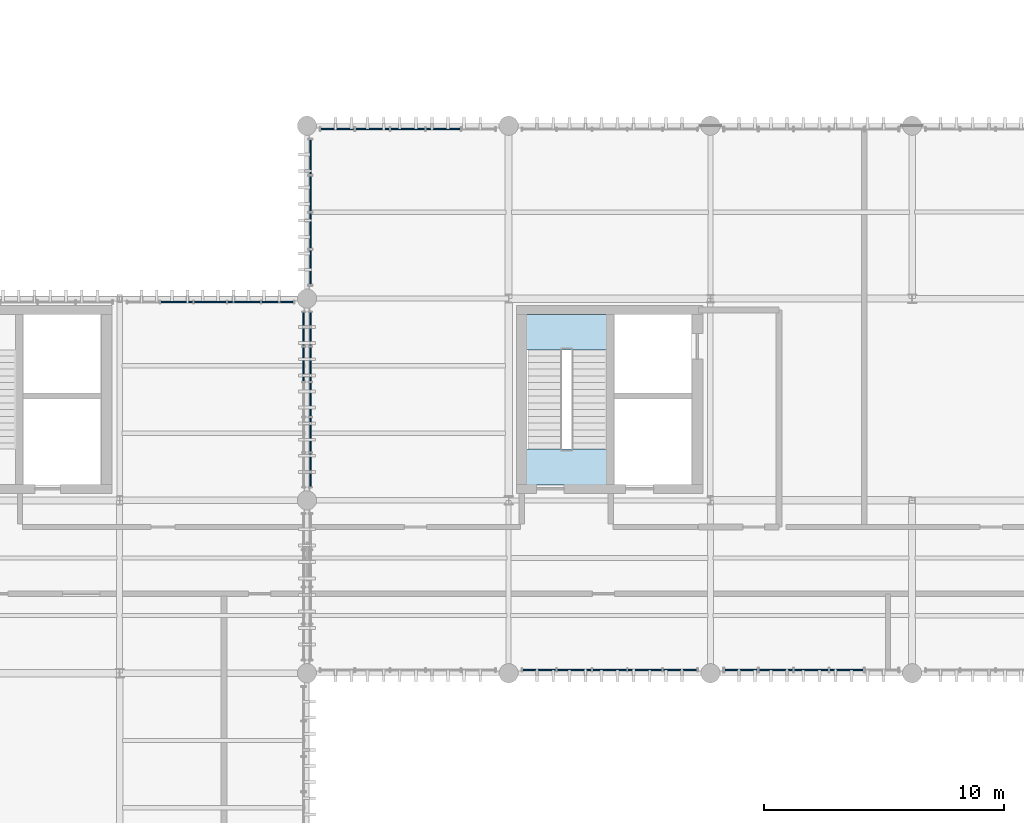
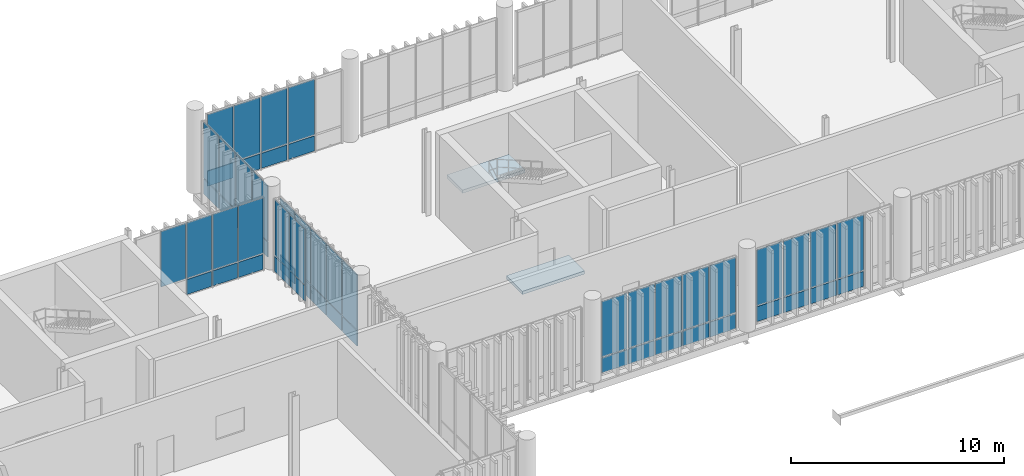
# One storey, part 69 of 94: 55 plates, 2 slabs, 8 elements without a shape of their own.
"""IFC4 building model written with IfcOpenShell, lengths in metres."""

from ifc_helpers import new_model, si_unit, direction, frame, frame_2d, origin_with_axes, place, context, subcontext, project, spatial, polyline, rectangle, outline, extrude, material, layer, layer_set, type_object, element, aggregate, save


model = new_model("IFC4")

# Units and contexts
model_context = context("Model", 3, precision=1e-05, world=origin_with_axes(), true_north=direction((0.0, 1.0)))
body_context = subcontext(model_context, "Body", "Model", "MODEL_VIEW")
ifc_project = project(units=[si_unit("LENGTHUNIT", "METRE"), si_unit("AREAUNIT", "SQUARE_METRE"), si_unit("VOLUMEUNIT", "CUBIC_METRE"), si_unit("PLANEANGLEUNIT", "RADIAN"), si_unit("MASSUNIT", "GRAM", prefix="KILO"), si_unit("THERMODYNAMICTEMPERATUREUNIT", "KELVIN")], contexts=[model_context])

# Site, building, storey
site_placement = place(None, origin_with_axes())
site = spatial("IfcSite", under=ifc_project, at=site_placement, CompositionType="ELEMENT")
building_placement = place(site_placement, origin_with_axes())
building = spatial("IfcBuilding", under=site, at=building_placement, Name="Montbau Bow Law Courts", CompositionType="ELEMENT")
storey_placement = place(building_placement, frame((0.0, 0.0, 15.6), z_axis=(0.0, 0.0, 1.0), x_axis=(1.0, 0.0, 0.0)))
storey = spatial("IfcBuildingStorey", under=building, at=storey_placement, Name="L03", CompositionType="ELEMENT", Elevation=15.6)

# Curtain wall, plates
ifc_material_1 = material(Name="Thermally Broken Extruded Aluminium AA 6063-T6", Category="aluminium")
curtain_wall_type_1 = type_object("IfcCurtainWallType", Name="CW-TRC-01", PredefinedType="NOTDEFINED", material=ifc_material_1)
curtain_wall_1_placement = place(None, frame((39.268, 54.46, 15.6), z_axis=(0.0, 0.0, 1.0), x_axis=(1.0, 0.0, 0.0)))
curtain_wall_1 = element("IfcCurtainWall", 1, at=curtain_wall_1_placement, inside=storey, type_object=curtain_wall_type_1, Name="CW-L03-059:cw_0059", PredefinedType="NOTDEFINED")
ifc_material_2 = material(Name="Triple-Glazed Low-E Argon Insulating Glass Unit", Category="glass")
ifc_layer_1 = layer(ifc_material_2, 0.044, Name="Curtain Panel", Category="glass")
ifc_layer_set_1 = layer_set([ifc_layer_1], Name="Triple-Glazed Low-E Argon Insulating Glass Unit")
plate_type_1 = type_object("IfcPlateType", Name="PL-CWP-01", PredefinedType="CURTAIN_PANEL", material=ifc_layer_set_1)
plate_1_placement = place(None, frame((40.703, 54.46, 16.579), z_axis=(0.0, -1.0, 0.0), x_axis=(1.0, 0.0, 0.0)))
plate_1 = element("IfcPlate", 2, at=plate_1_placement, type_object=plate_type_1, Name="CW-L03-059-P02-2:cw_0059_P02_2", PredefinedType="CURTAIN_PANEL", context=body_context, shape_type="SweptSolid", body=[
    extrude(rectangle(XDim=1.34, YDim=3.185, at=frame_2d((0.67, 1.5925), x_axis=(1.0, 0.0))), frame((0.0, 0.0, -0.022), z_axis=(0.0, 0.0, 1.0), x_axis=(1.0, 0.0, 0.0)), (0.0, 0.0, 1.0), 0.044),
])
plate_2_placement = place(None, frame((42.107, 54.46, 16.579), z_axis=(0.0, -1.0, 0.0), x_axis=(1.0, 0.0, 0.0)))
plate_2 = element("IfcPlate", 3, at=plate_2_placement, type_object=plate_type_1, Name="CW-L03-059-P03-2:cw_0059_P03_2", PredefinedType="CURTAIN_PANEL", context=body_context, shape_type="SweptSolid", body=[
    extrude(rectangle(XDim=1.339, YDim=3.185, at=frame_2d((0.6695, 1.5925), x_axis=(1.0, 0.0))), frame((0.0, 0.0, -0.022), z_axis=(0.0, 0.0, 1.0), x_axis=(1.0, 0.0, 0.0)), (0.0, 0.0, 1.0), 0.044),
])
plate_3_placement = place(None, frame((43.51, 54.46, 16.579), z_axis=(0.0, -1.0, 0.0), x_axis=(1.0, 0.0, 0.0)))
plate_3 = element("IfcPlate", 4, at=plate_3_placement, type_object=plate_type_1, Name="CW-L03-059-P04-2:cw_0059_P04_2", PredefinedType="CURTAIN_PANEL", context=body_context, shape_type="SweptSolid", body=[
    extrude(rectangle(XDim=1.34, YDim=3.185, at=frame_2d((0.67, 1.5925), x_axis=(1.0, 0.0))), frame((0.0, 0.0, -0.022), z_axis=(0.0, 0.0, 1.0), x_axis=(1.0, 0.0, 0.0)), (0.0, 0.0, 1.0), 0.044),
])
plate_4_placement = place(None, frame((44.914, 54.46, 16.579), z_axis=(0.0, -1.0, 0.0), x_axis=(1.0, 0.0, 0.0)))
plate_4 = element("IfcPlate", 5, at=plate_4_placement, type_object=plate_type_1, Name="CW-L03-059-P05-2:cw_0059_P05_2", PredefinedType="CURTAIN_PANEL", context=body_context, shape_type="SweptSolid", body=[
    extrude(rectangle(XDim=1.309, YDim=3.185, at=frame_2d((0.6545, 1.5925), x_axis=(1.0, 0.0))), frame((0.0, 0.0, -0.022), z_axis=(0.0, 0.0, 1.0), x_axis=(1.0, 0.0, 0.0)), (0.0, 0.0, 1.0), 0.044),
])

curtain_wall_2_placement = place(None, frame((46.66, 46.715, 15.6), z_axis=(0.0, 0.0, 1.0), x_axis=(1.0, 0.0, 0.0)))
curtain_wall_2 = element("IfcCurtainWall", 6, at=curtain_wall_2_placement, inside=storey, type_object=curtain_wall_type_1, Name="CW-L03-065:cw_0065", PredefinedType="NOTDEFINED")
plate_5_placement = place(None, frame((46.66, 51.169, 16.579), z_axis=(1.0, 0.0, 0.0), x_axis=(0.0, 1.0, 0.0)))
plate_5 = element("IfcPlate", 7, at=plate_5_placement, type_object=plate_type_1, Name="CW-L03-065-P04-2:cw_0065_P04_2", PredefinedType="CURTAIN_PANEL", context=body_context, shape_type="SweptSolid", body=[
    extrude(rectangle(XDim=1.41, YDim=3.185, at=frame_2d((0.705, 1.5925), x_axis=(1.0, 0.0))), frame((0.0, 0.0, -0.022), z_axis=(0.0, 0.0, 1.0), x_axis=(1.0, 0.0, 0.0)), (0.0, 0.0, 1.0), 0.044),
])
plate_6_placement = place(None, frame((46.66, 52.643, 16.579), z_axis=(1.0, 0.0, 0.0), x_axis=(0.0, 1.0, 0.0)))
plate_6 = element("IfcPlate", 8, at=plate_6_placement, type_object=plate_type_1, Name="CW-L03-065-P05-2:cw_0065_P05_2", PredefinedType="CURTAIN_PANEL", context=body_context, shape_type="SweptSolid", body=[
    extrude(rectangle(XDim=1.38, YDim=3.185, at=frame_2d((0.69, 1.5925), x_axis=(1.0, 0.0))), frame((0.0, 0.0, -0.022), z_axis=(0.0, 0.0, 1.0), x_axis=(1.0, 0.0, 0.0)), (0.0, 0.0, 1.0), 0.044),
])

curtain_wall_type_2 = type_object("IfcCurtainWallType", Name="CW-CRM-01", PredefinedType="NOTDEFINED", material=ifc_material_1)
curtain_wall_3_placement = place(None, frame((55.715, 39.14, 15.6), z_axis=(0.0, 0.0, 1.0), x_axis=(1.0, 0.0, 0.0)))
curtain_wall_3 = element("IfcCurtainWall", 9, at=curtain_wall_3_placement, inside=storey, type_object=curtain_wall_type_2, Name="CW-L03-176:cw_0176", PredefinedType="NOTDEFINED")
plate_7_placement = place(None, frame((55.777, 39.14, 16.582), z_axis=(0.0, -1.0, 0.0), x_axis=(1.0, 0.0, 0.0)))
plate_7 = element("IfcPlate", 10, at=plate_7_placement, type_object=plate_type_1, Name="CW-L03-176-P01-2:cw_0176_P01_2", PredefinedType="CURTAIN_PANEL", context=body_context, shape_type="SweptSolid", body=[
    extrude(rectangle(XDim=1.38, YDim=3.176, at=frame_2d((0.69, 1.588), x_axis=(1.0, 0.0))), frame((0.0, 0.0, -0.022), z_axis=(0.0, 0.0, 1.0), x_axis=(1.0, 0.0, 0.0)), (0.0, 0.0, 1.0), 0.044),
])
plate_8_placement = place(None, frame((57.221, 39.14, 16.582), z_axis=(0.0, -1.0, 0.0), x_axis=(1.0, 0.0, 0.0)))
plate_8 = element("IfcPlate", 11, at=plate_8_placement, type_object=plate_type_1, Name="CW-L03-176-P02-2:cw_0176_P02_2", PredefinedType="CURTAIN_PANEL", context=body_context, shape_type="SweptSolid", body=[
    extrude(rectangle(XDim=1.41, YDim=3.176, at=frame_2d((0.705, 1.588), x_axis=(1.0, 0.0))), frame((0.0, 0.0, -0.022), z_axis=(0.0, 0.0, 1.0), x_axis=(1.0, 0.0, 0.0)), (0.0, 0.0, 1.0), 0.044),
])
plate_9_placement = place(None, frame((58.695, 39.14, 16.582), z_axis=(0.0, -1.0, 0.0), x_axis=(1.0, 0.0, 0.0)))
plate_9 = element("IfcPlate", 12, at=plate_9_placement, type_object=plate_type_1, Name="CW-L03-176-P03-2:cw_0176_P03_2", PredefinedType="CURTAIN_PANEL", context=body_context, shape_type="SweptSolid", body=[
    extrude(rectangle(XDim=1.41, YDim=3.176, at=frame_2d((0.705, 1.588), x_axis=(1.0, 0.0))), frame((0.0, 0.0, -0.022), z_axis=(0.0, 0.0, 1.0), x_axis=(1.0, 0.0, 0.0)), (0.0, 0.0, 1.0), 0.044),
])
plate_10_placement = place(None, frame((60.169, 39.14, 16.582), z_axis=(0.0, -1.0, 0.0), x_axis=(1.0, 0.0, 0.0)))
plate_10 = element("IfcPlate", 13, at=plate_10_placement, type_object=plate_type_1, Name="CW-L03-176-P04-2:cw_0176_P04_2", PredefinedType="CURTAIN_PANEL", context=body_context, shape_type="SweptSolid", body=[
    extrude(rectangle(XDim=1.41, YDim=3.176, at=frame_2d((0.705, 1.588), x_axis=(1.0, 0.0))), frame((0.0, 0.0, -0.022), z_axis=(0.0, 0.0, 1.0), x_axis=(1.0, 0.0, 0.0)), (0.0, 0.0, 1.0), 0.044),
])
plate_11_placement = place(None, frame((61.643, 39.14, 16.582), z_axis=(0.0, -1.0, 0.0), x_axis=(1.0, 0.0, 0.0)))
plate_11 = element("IfcPlate", 14, at=plate_11_placement, type_object=plate_type_1, Name="CW-L03-176-P05-2:cw_0176_P05_2", PredefinedType="CURTAIN_PANEL", context=body_context, shape_type="SweptSolid", body=[
    extrude(rectangle(XDim=1.38, YDim=3.176, at=frame_2d((0.69, 1.588), x_axis=(1.0, 0.0))), frame((0.0, 0.0, -0.022), z_axis=(0.0, 0.0, 1.0), x_axis=(1.0, 0.0, 0.0)), (0.0, 0.0, 1.0), 0.044),
])

curtain_wall_4_placement = place(None, frame((64.115, 39.14, 15.6), z_axis=(0.0, 0.0, 1.0), x_axis=(1.0, 0.0, 0.0)))
curtain_wall_4 = element("IfcCurtainWall", 15, at=curtain_wall_4_placement, inside=storey, type_object=curtain_wall_type_2, Name="CW-L03-177:cw_0177", PredefinedType="NOTDEFINED")
plate_12_placement = place(None, frame((64.191, 39.14, 16.579), z_axis=(0.0, -1.0, 0.0), x_axis=(1.0, 0.0, 0.0)))
plate_12 = element("IfcPlate", 16, at=plate_12_placement, type_object=plate_type_1, Name="CW-L03-177-P01-2:cw_0177_P01_2", PredefinedType="CURTAIN_PANEL", context=body_context, shape_type="SweptSolid", body=[
    extrude(rectangle(XDim=1.358, YDim=3.185, at=frame_2d((0.679, 1.5925), x_axis=(1.0, 0.0))), frame((0.0, 0.0, -0.022), z_axis=(0.0, 0.0, 1.0), x_axis=(1.0, 0.0, 0.0)), (0.0, 0.0, 1.0), 0.044),
])
plate_13_placement = place(None, frame((65.629, 39.14, 16.579), z_axis=(0.0, -1.0, 0.0), x_axis=(1.0, 0.0, 0.0)))
plate_13 = element("IfcPlate", 17, at=plate_13_placement, type_object=plate_type_1, Name="CW-L03-177-P02-2:cw_0177_P02_2", PredefinedType="CURTAIN_PANEL", context=body_context, shape_type="SweptSolid", body=[
    extrude(rectangle(XDim=1.395, YDim=3.185, at=frame_2d((0.6975, 1.5925), x_axis=(1.0, 0.0))), frame((0.0, 0.0, -0.022), z_axis=(0.0, 0.0, 1.0), x_axis=(1.0, 0.0, 0.0)), (0.0, 0.0, 1.0), 0.044),
])
plate_14_placement = place(None, frame((67.102, 39.14, 16.579), z_axis=(0.0, -1.0, 0.0), x_axis=(1.0, 0.0, 0.0)))
plate_14 = element("IfcPlate", 18, at=plate_14_placement, type_object=plate_type_1, Name="CW-L03-177-P03-2:cw_0177_P03_2", PredefinedType="CURTAIN_PANEL", context=body_context, shape_type="SweptSolid", body=[
    extrude(rectangle(XDim=1.396, YDim=3.185, at=frame_2d((0.698, 1.5925), x_axis=(1.0, 0.0))), frame((0.0, 0.0, -0.022), z_axis=(0.0, 0.0, 1.0), x_axis=(1.0, 0.0, 0.0)), (0.0, 0.0, 1.0), 0.044),
])
plate_15_placement = place(None, frame((68.576, 39.14, 16.579), z_axis=(0.0, -1.0, 0.0), x_axis=(1.0, 0.0, 0.0)))
plate_15 = element("IfcPlate", 19, at=plate_15_placement, type_object=plate_type_1, Name="CW-L03-177-P04-2:cw_0177_P04_2", PredefinedType="CURTAIN_PANEL", context=body_context, shape_type="SweptSolid", body=[
    extrude(rectangle(XDim=1.396, YDim=3.185, at=frame_2d((0.698, 1.5925), x_axis=(1.0, 0.0))), frame((0.0, 0.0, -0.022), z_axis=(0.0, 0.0, 1.0), x_axis=(1.0, 0.0, 0.0)), (0.0, 0.0, 1.0), 0.044),
])

curtain_wall_5_placement = place(None, frame((47.315, 61.66, 15.6), z_axis=(0.0, 0.0, 1.0), x_axis=(1.0, 0.0, 0.0)))
curtain_wall_5 = element("IfcCurtainWall", 20, at=curtain_wall_5_placement, inside=storey, type_object=curtain_wall_type_2, Name="CW-L03-181:cw_0181", PredefinedType="NOTDEFINED")
plate_16_placement = place(None, frame((47.383, 61.66, 16.579), z_axis=(0.0, -1.0, 0.0), x_axis=(1.0, 0.0, 0.0)))
plate_16 = element("IfcPlate", 21, at=plate_16_placement, type_object=plate_type_1, Name="CW-L03-181-P01-2:cw_0181_P01_2", PredefinedType="CURTAIN_PANEL", context=body_context, shape_type="SweptSolid", body=[
    extrude(rectangle(XDim=1.372, YDim=3.185, at=frame_2d((0.686, 1.5925), x_axis=(1.0, 0.0))), frame((0.0, 0.0, -0.022), z_axis=(0.0, 0.0, 1.0), x_axis=(1.0, 0.0, 0.0)), (0.0, 0.0, 1.0), 0.044),
])
plate_17_placement = place(None, frame((48.823, 61.66, 16.579), z_axis=(0.0, -1.0, 0.0), x_axis=(1.0, 0.0, 0.0)))
plate_17 = element("IfcPlate", 22, at=plate_17_placement, type_object=plate_type_1, Name="CW-L03-181-P02-2:cw_0181_P02_2", PredefinedType="CURTAIN_PANEL", context=body_context, shape_type="SweptSolid", body=[
    extrude(rectangle(XDim=1.405, YDim=3.185, at=frame_2d((0.7025, 1.5925), x_axis=(1.0, 0.0))), frame((0.0, 0.0, -0.022), z_axis=(0.0, 0.0, 1.0), x_axis=(1.0, 0.0, 0.0)), (0.0, 0.0, 1.0), 0.044),
])
plate_18_placement = place(None, frame((50.297, 61.66, 16.579), z_axis=(0.0, -1.0, 0.0), x_axis=(1.0, 0.0, 0.0)))
plate_18 = element("IfcPlate", 23, at=plate_18_placement, type_object=plate_type_1, Name="CW-L03-181-P03-2:cw_0181_P03_2", PredefinedType="CURTAIN_PANEL", context=body_context, shape_type="SweptSolid", body=[
    extrude(rectangle(XDim=1.406, YDim=3.185, at=frame_2d((0.703, 1.5925), x_axis=(1.0, 0.0))), frame((0.0, 0.0, -0.022), z_axis=(0.0, 0.0, 1.0), x_axis=(1.0, 0.0, 0.0)), (0.0, 0.0, 1.0), 0.044),
])
plate_19_placement = place(None, frame((51.771, 61.66, 16.579), z_axis=(0.0, -1.0, 0.0), x_axis=(1.0, 0.0, 0.0)))
plate_19 = element("IfcPlate", 24, at=plate_19_placement, type_object=plate_type_1, Name="CW-L03-181-P04-2:cw_0181_P04_2", PredefinedType="CURTAIN_PANEL", context=body_context, shape_type="SweptSolid", body=[
    extrude(rectangle(XDim=1.406, YDim=3.185, at=frame_2d((0.703, 1.5925), x_axis=(1.0, 0.0))), frame((0.0, 0.0, -0.022), z_axis=(0.0, 0.0, 1.0), x_axis=(1.0, 0.0, 0.0)), (0.0, 0.0, 1.0), 0.044),
])

curtain_wall_6_placement = place(None, frame((46.94, 46.715, 15.6), z_axis=(0.0, 0.0, 1.0), x_axis=(1.0, 0.0, 0.0)))
curtain_wall_6 = element("IfcCurtainWall", 25, at=curtain_wall_6_placement, inside=storey, type_object=curtain_wall_type_2, Name="CW-L03-188:cw_0188", PredefinedType="NOTDEFINED")
plate_20_placement = place(None, frame((46.94, 46.777, 16.582), z_axis=(1.0, 0.0, 0.0), x_axis=(0.0, 1.0, 0.0)))
plate_20 = element("IfcPlate", 26, at=plate_20_placement, type_object=plate_type_1, Name="CW-L03-188-P01-2:cw_0188_P01_2", PredefinedType="CURTAIN_PANEL", context=body_context, shape_type="SweptSolid", body=[
    extrude(rectangle(XDim=1.38, YDim=3.176, at=frame_2d((0.69, 1.588), x_axis=(1.0, 0.0))), frame((0.0, 0.0, -0.022), z_axis=(0.0, 0.0, 1.0), x_axis=(1.0, 0.0, 0.0)), (0.0, 0.0, 1.0), 0.044),
])
plate_21_placement = place(None, frame((46.94, 48.221, 16.582), z_axis=(1.0, 0.0, 0.0), x_axis=(0.0, 1.0, 0.0)))
plate_21 = element("IfcPlate", 27, at=plate_21_placement, type_object=plate_type_1, Name="CW-L03-188-P02-2:cw_0188_P02_2", PredefinedType="CURTAIN_PANEL", context=body_context, shape_type="SweptSolid", body=[
    extrude(rectangle(XDim=1.41, YDim=3.176, at=frame_2d((0.705, 1.588), x_axis=(1.0, 0.0))), frame((0.0, 0.0, -0.022), z_axis=(0.0, 0.0, 1.0), x_axis=(1.0, 0.0, 0.0)), (0.0, 0.0, 1.0), 0.044),
])
plate_22_placement = place(None, frame((46.94, 49.695, 16.582), z_axis=(1.0, 0.0, 0.0), x_axis=(0.0, 1.0, 0.0)))
plate_22 = element("IfcPlate", 28, at=plate_22_placement, type_object=plate_type_1, Name="CW-L03-188-P03-2:cw_0188_P03_2", PredefinedType="CURTAIN_PANEL", context=body_context, shape_type="SweptSolid", body=[
    extrude(rectangle(XDim=1.41, YDim=3.176, at=frame_2d((0.705, 1.588), x_axis=(1.0, 0.0))), frame((0.0, 0.0, -0.022), z_axis=(0.0, 0.0, 1.0), x_axis=(1.0, 0.0, 0.0)), (0.0, 0.0, 1.0), 0.044),
])
plate_23_placement = place(None, frame((46.94, 51.169, 16.582), z_axis=(1.0, 0.0, 0.0), x_axis=(0.0, 1.0, 0.0)))
plate_23 = element("IfcPlate", 29, at=plate_23_placement, type_object=plate_type_1, Name="CW-L03-188-P04-2:cw_0188_P04_2", PredefinedType="CURTAIN_PANEL", context=body_context, shape_type="SweptSolid", body=[
    extrude(rectangle(XDim=1.41, YDim=3.176, at=frame_2d((0.705, 1.588), x_axis=(1.0, 0.0))), frame((0.0, 0.0, -0.022), z_axis=(0.0, 0.0, 1.0), x_axis=(1.0, 0.0, 0.0)), (0.0, 0.0, 1.0), 0.044),
])
plate_24_placement = place(None, frame((46.94, 52.643, 16.582), z_axis=(1.0, 0.0, 0.0), x_axis=(0.0, 1.0, 0.0)))
plate_24 = element("IfcPlate", 30, at=plate_24_placement, type_object=plate_type_1, Name="CW-L03-188-P05-2:cw_0188_P05_2", PredefinedType="CURTAIN_PANEL", context=body_context, shape_type="SweptSolid", body=[
    extrude(rectangle(XDim=1.38, YDim=3.176, at=frame_2d((0.69, 1.588), x_axis=(1.0, 0.0))), frame((0.0, 0.0, -0.022), z_axis=(0.0, 0.0, 1.0), x_axis=(1.0, 0.0, 0.0)), (0.0, 0.0, 1.0), 0.044),
])

curtain_wall_7_placement = place(None, frame((46.94, 55.115, 15.6), z_axis=(0.0, 0.0, 1.0), x_axis=(1.0, 0.0, 0.0)))
curtain_wall_7 = element("IfcCurtainWall", 31, at=curtain_wall_7_placement, inside=storey, type_object=curtain_wall_type_2, Name="CW-L03-189:cw_0189", PredefinedType="NOTDEFINED")
plate_25_placement = place(None, frame((46.94, 55.191, 16.579), z_axis=(1.0, 0.0, 0.0), x_axis=(0.0, 1.0, 0.0)))
plate_25 = element("IfcPlate", 32, at=plate_25_placement, type_object=plate_type_1, Name="CW-L03-189-P01-2:cw_0189_P01_2", PredefinedType="CURTAIN_PANEL", context=body_context, shape_type="SweptSolid", body=[
    extrude(rectangle(XDim=1.426, YDim=3.185, at=frame_2d((0.713, 1.5925), x_axis=(1.0, 0.0))), frame((0.0, 0.0, -0.022), z_axis=(0.0, 0.0, 1.0), x_axis=(1.0, 0.0, 0.0)), (0.0, 0.0, 1.0), 0.044),
])
plate_26_placement = place(None, frame((46.94, 56.697, 16.579), z_axis=(1.0, 0.0, 0.0), x_axis=(0.0, 1.0, 0.0)))
plate_26 = element("IfcPlate", 33, at=plate_26_placement, type_object=plate_type_1, Name="CW-L03-189-P02-2:cw_0189_P02_2", PredefinedType="CURTAIN_PANEL", context=body_context, shape_type="SweptSolid", body=[
    extrude(rectangle(XDim=1.464, YDim=3.185, at=frame_2d((0.732, 1.5925), x_axis=(1.0, 0.0))), frame((0.0, 0.0, -0.022), z_axis=(0.0, 0.0, 1.0), x_axis=(1.0, 0.0, 0.0)), (0.0, 0.0, 1.0), 0.044),
])
plate_27_placement = place(None, frame((46.94, 58.239, 16.579), z_axis=(1.0, 0.0, 0.0), x_axis=(0.0, 1.0, 0.0)))
plate_27 = element("IfcPlate", 34, at=plate_27_placement, type_object=plate_type_1, Name="CW-L03-189-P03-2:cw_0189_P03_2", PredefinedType="CURTAIN_PANEL", context=body_context, shape_type="SweptSolid", body=[
    extrude(rectangle(XDim=1.464, YDim=3.185, at=frame_2d((0.732, 1.5925), x_axis=(1.0, 0.0))), frame((0.0, 0.0, -0.022), z_axis=(0.0, 0.0, 1.0), x_axis=(1.0, 0.0, 0.0)), (0.0, 0.0, 1.0), 0.044),
])
plate_28_placement = place(None, frame((46.94, 59.781, 16.579), z_axis=(1.0, 0.0, 0.0), x_axis=(0.0, 1.0, 0.0)))
plate_28 = element("IfcPlate", 35, at=plate_28_placement, type_object=plate_type_1, Name="CW-L03-189-P04-2:cw_0189_P04_2", PredefinedType="CURTAIN_PANEL", context=body_context, shape_type="SweptSolid", body=[
    extrude(rectangle(XDim=1.427, YDim=3.185, at=frame_2d((0.7135, 1.5925), x_axis=(1.0, 0.0))), frame((0.0, 0.0, -0.022), z_axis=(0.0, 0.0, 1.0), x_axis=(1.0, 0.0, 0.0)), (0.0, 0.0, 1.0), 0.044),
])

# Plate
ifc_material_3 = material(Name="Insulated Ceramic-Frit Spandrel Glazing Unit", Category="glass")
ifc_layer_2 = layer(ifc_material_3, 0.056, Name="Curtain Panel", Category="glass")
ifc_layer_set_2 = layer_set([ifc_layer_2], Name="Insulated Ceramic-Frit Spandrel Glazing Unit")
plate_type_2 = type_object("IfcPlateType", Name="PL-CWP-02", PredefinedType="CURTAIN_PANEL", material=ifc_layer_set_2)
plate_29_placement = place(None, frame((42.107, 54.46, 15.657), z_axis=(0.0, -1.0, 0.0), x_axis=(1.0, 0.0, 0.0)))
plate_29 = element("IfcPlate", 36, at=plate_29_placement, type_object=plate_type_2, Name="CW-L03-059-P03-1:cw_0059_P03_1", PredefinedType="CURTAIN_PANEL", context=body_context, shape_type="SweptSolid", body=[
    extrude(rectangle(XDim=1.339, YDim=0.864, at=frame_2d((0.6695, 0.432), x_axis=(1.0, 0.0))), frame((0.0, 0.0, -0.028), z_axis=(0.0, 0.0, 1.0), x_axis=(1.0, 0.0, 0.0)), (0.0, 0.0, 1.0), 0.056),
])

plate_30_placement = place(None, frame((43.51, 54.46, 15.657), z_axis=(0.0, -1.0, 0.0), x_axis=(1.0, 0.0, 0.0)))
plate_30 = element("IfcPlate", 37, at=plate_30_placement, type_object=plate_type_2, Name="CW-L03-059-P04-1:cw_0059_P04_1", PredefinedType="CURTAIN_PANEL", context=body_context, shape_type="SweptSolid", body=[
    extrude(rectangle(XDim=1.34, YDim=0.864, at=frame_2d((0.67, 0.432), x_axis=(1.0, 0.0))), frame((0.0, 0.0, -0.028), z_axis=(0.0, 0.0, 1.0), x_axis=(1.0, 0.0, 0.0)), (0.0, 0.0, 1.0), 0.056),
])

plate_31_placement = place(None, frame((44.914, 54.46, 15.657), z_axis=(0.0, -1.0, 0.0), x_axis=(1.0, 0.0, 0.0)))
plate_31 = element("IfcPlate", 38, at=plate_31_placement, type_object=plate_type_2, Name="CW-L03-059-P05-1:cw_0059_P05_1", PredefinedType="CURTAIN_PANEL", context=body_context, shape_type="SweptSolid", body=[
    extrude(rectangle(XDim=1.309, YDim=0.864, at=frame_2d((0.6545, 0.432), x_axis=(1.0, 0.0))), frame((0.0, 0.0, -0.028), z_axis=(0.0, 0.0, 1.0), x_axis=(1.0, 0.0, 0.0)), (0.0, 0.0, 1.0), 0.056),
])

aggregate(curtain_wall_1, [plate_1, plate_29, plate_2, plate_30, plate_3, plate_31, plate_4])

plate_32_placement = place(None, frame((46.66, 51.169, 15.657), z_axis=(1.0, 0.0, 0.0), x_axis=(0.0, 1.0, 0.0)))
plate_32 = element("IfcPlate", 39, at=plate_32_placement, type_object=plate_type_2, Name="CW-L03-065-P04-1:cw_0065_P04_1", PredefinedType="CURTAIN_PANEL", context=body_context, shape_type="SweptSolid", body=[
    extrude(rectangle(XDim=1.41, YDim=0.864, at=frame_2d((0.705, 0.432), x_axis=(1.0, 0.0))), frame((0.0, 0.0, -0.028), z_axis=(0.0, 0.0, 1.0), x_axis=(1.0, 0.0, 0.0)), (0.0, 0.0, 1.0), 0.056),
])

plate_33_placement = place(None, frame((46.66, 52.643, 15.657), z_axis=(1.0, 0.0, 0.0), x_axis=(0.0, 1.0, 0.0)))
plate_33 = element("IfcPlate", 40, at=plate_33_placement, type_object=plate_type_2, Name="CW-L03-065-P05-1:cw_0065_P05_1", PredefinedType="CURTAIN_PANEL", context=body_context, shape_type="SweptSolid", body=[
    extrude(rectangle(XDim=1.38, YDim=0.864, at=frame_2d((0.69, 0.432), x_axis=(1.0, 0.0))), frame((0.0, 0.0, -0.028), z_axis=(0.0, 0.0, 1.0), x_axis=(1.0, 0.0, 0.0)), (0.0, 0.0, 1.0), 0.056),
])

aggregate(curtain_wall_2, [plate_32, plate_5, plate_33, plate_6])

plate_34_placement = place(None, frame((55.777, 39.14, 15.662), z_axis=(0.0, -1.0, 0.0), x_axis=(1.0, 0.0, 0.0)))
plate_34 = element("IfcPlate", 41, at=plate_34_placement, type_object=plate_type_2, Name="CW-L03-176-P01-1:cw_0176_P01_1", PredefinedType="CURTAIN_PANEL", context=body_context, shape_type="SweptSolid", body=[
    extrude(rectangle(XDim=1.38, YDim=0.856, at=frame_2d((0.69, 0.428), x_axis=(1.0, 0.0))), frame((0.0, 0.0, -0.028), z_axis=(0.0, 0.0, 1.0), x_axis=(1.0, 0.0, 0.0)), (0.0, 0.0, 1.0), 0.056),
])

plate_35_placement = place(None, frame((57.221, 39.14, 15.662), z_axis=(0.0, -1.0, 0.0), x_axis=(1.0, 0.0, 0.0)))
plate_35 = element("IfcPlate", 42, at=plate_35_placement, type_object=plate_type_2, Name="CW-L03-176-P02-1:cw_0176_P02_1", PredefinedType="CURTAIN_PANEL", context=body_context, shape_type="SweptSolid", body=[
    extrude(rectangle(XDim=1.41, YDim=0.856, at=frame_2d((0.705, 0.428), x_axis=(1.0, 0.0))), frame((0.0, 0.0, -0.028), z_axis=(0.0, 0.0, 1.0), x_axis=(1.0, 0.0, 0.0)), (0.0, 0.0, 1.0), 0.056),
])

plate_36_placement = place(None, frame((58.695, 39.14, 15.662), z_axis=(0.0, -1.0, 0.0), x_axis=(1.0, 0.0, 0.0)))
plate_36 = element("IfcPlate", 43, at=plate_36_placement, type_object=plate_type_2, Name="CW-L03-176-P03-1:cw_0176_P03_1", PredefinedType="CURTAIN_PANEL", context=body_context, shape_type="SweptSolid", body=[
    extrude(rectangle(XDim=1.41, YDim=0.856, at=frame_2d((0.705, 0.428), x_axis=(1.0, 0.0))), frame((0.0, 0.0, -0.028), z_axis=(0.0, 0.0, 1.0), x_axis=(1.0, 0.0, 0.0)), (0.0, 0.0, 1.0), 0.056),
])

plate_37_placement = place(None, frame((60.169, 39.14, 15.662), z_axis=(0.0, -1.0, 0.0), x_axis=(1.0, 0.0, 0.0)))
plate_37 = element("IfcPlate", 44, at=plate_37_placement, type_object=plate_type_2, Name="CW-L03-176-P04-1:cw_0176_P04_1", PredefinedType="CURTAIN_PANEL", context=body_context, shape_type="SweptSolid", body=[
    extrude(rectangle(XDim=1.41, YDim=0.856, at=frame_2d((0.705, 0.428), x_axis=(1.0, 0.0))), frame((0.0, 0.0, -0.028), z_axis=(0.0, 0.0, 1.0), x_axis=(1.0, 0.0, 0.0)), (0.0, 0.0, 1.0), 0.056),
])

plate_38_placement = place(None, frame((61.643, 39.14, 15.662), z_axis=(0.0, -1.0, 0.0), x_axis=(1.0, 0.0, 0.0)))
plate_38 = element("IfcPlate", 45, at=plate_38_placement, type_object=plate_type_2, Name="CW-L03-176-P05-1:cw_0176_P05_1", PredefinedType="CURTAIN_PANEL", context=body_context, shape_type="SweptSolid", body=[
    extrude(rectangle(XDim=1.38, YDim=0.856, at=frame_2d((0.69, 0.428), x_axis=(1.0, 0.0))), frame((0.0, 0.0, -0.028), z_axis=(0.0, 0.0, 1.0), x_axis=(1.0, 0.0, 0.0)), (0.0, 0.0, 1.0), 0.056),
])

aggregate(curtain_wall_3, [plate_34, plate_7, plate_35, plate_8, plate_36, plate_9, plate_37, plate_10, plate_38, plate_11])

plate_39_placement = place(None, frame((64.191, 39.14, 15.657), z_axis=(0.0, -1.0, 0.0), x_axis=(1.0, 0.0, 0.0)))
plate_39 = element("IfcPlate", 46, at=plate_39_placement, type_object=plate_type_2, Name="CW-L03-177-P01-1:cw_0177_P01_1", PredefinedType="CURTAIN_PANEL", context=body_context, shape_type="SweptSolid", body=[
    extrude(rectangle(XDim=1.358, YDim=0.864, at=frame_2d((0.679, 0.432), x_axis=(1.0, 0.0))), frame((0.0, 0.0, -0.028), z_axis=(0.0, 0.0, 1.0), x_axis=(1.0, 0.0, 0.0)), (0.0, 0.0, 1.0), 0.056),
])

plate_40_placement = place(None, frame((65.629, 39.14, 15.657), z_axis=(0.0, -1.0, 0.0), x_axis=(1.0, 0.0, 0.0)))
plate_40 = element("IfcPlate", 47, at=plate_40_placement, type_object=plate_type_2, Name="CW-L03-177-P02-1:cw_0177_P02_1", PredefinedType="CURTAIN_PANEL", context=body_context, shape_type="SweptSolid", body=[
    extrude(rectangle(XDim=1.395, YDim=0.864, at=frame_2d((0.6975, 0.432), x_axis=(1.0, 0.0))), frame((0.0, 0.0, -0.028), z_axis=(0.0, 0.0, 1.0), x_axis=(1.0, 0.0, 0.0)), (0.0, 0.0, 1.0), 0.056),
])

plate_41_placement = place(None, frame((67.102, 39.14, 15.657), z_axis=(0.0, -1.0, 0.0), x_axis=(1.0, 0.0, 0.0)))
plate_41 = element("IfcPlate", 48, at=plate_41_placement, type_object=plate_type_2, Name="CW-L03-177-P03-1:cw_0177_P03_1", PredefinedType="CURTAIN_PANEL", context=body_context, shape_type="SweptSolid", body=[
    extrude(rectangle(XDim=1.396, YDim=0.864, at=frame_2d((0.698, 0.432), x_axis=(1.0, 0.0))), frame((0.0, 0.0, -0.028), z_axis=(0.0, 0.0, 1.0), x_axis=(1.0, 0.0, 0.0)), (0.0, 0.0, 1.0), 0.056),
])

plate_42_placement = place(None, frame((68.576, 39.14, 15.657), z_axis=(0.0, -1.0, 0.0), x_axis=(1.0, 0.0, 0.0)))
plate_42 = element("IfcPlate", 49, at=plate_42_placement, type_object=plate_type_2, Name="CW-L03-177-P04-1:cw_0177_P04_1", PredefinedType="CURTAIN_PANEL", context=body_context, shape_type="SweptSolid", body=[
    extrude(rectangle(XDim=1.396, YDim=0.864, at=frame_2d((0.698, 0.432), x_axis=(1.0, 0.0))), frame((0.0, 0.0, -0.028), z_axis=(0.0, 0.0, 1.0), x_axis=(1.0, 0.0, 0.0)), (0.0, 0.0, 1.0), 0.056),
])

aggregate(curtain_wall_4, [plate_39, plate_12, plate_40, plate_13, plate_41, plate_14, plate_42, plate_15])

plate_43_placement = place(None, frame((47.383, 61.66, 15.657), z_axis=(0.0, -1.0, 0.0), x_axis=(1.0, 0.0, 0.0)))
plate_43 = element("IfcPlate", 50, at=plate_43_placement, type_object=plate_type_2, Name="CW-L03-181-P01-1:cw_0181_P01_1", PredefinedType="CURTAIN_PANEL", context=body_context, shape_type="SweptSolid", body=[
    extrude(rectangle(XDim=1.372, YDim=0.864, at=frame_2d((0.686, 0.432), x_axis=(1.0, 0.0))), frame((0.0, 0.0, -0.028), z_axis=(0.0, 0.0, 1.0), x_axis=(1.0, 0.0, 0.0)), (0.0, 0.0, 1.0), 0.056),
])

plate_44_placement = place(None, frame((48.823, 61.66, 15.657), z_axis=(0.0, -1.0, 0.0), x_axis=(1.0, 0.0, 0.0)))
plate_44 = element("IfcPlate", 51, at=plate_44_placement, type_object=plate_type_2, Name="CW-L03-181-P02-1:cw_0181_P02_1", PredefinedType="CURTAIN_PANEL", context=body_context, shape_type="SweptSolid", body=[
    extrude(rectangle(XDim=1.405, YDim=0.864, at=frame_2d((0.7025, 0.432), x_axis=(1.0, 0.0))), frame((0.0, 0.0, -0.028), z_axis=(0.0, 0.0, 1.0), x_axis=(1.0, 0.0, 0.0)), (0.0, 0.0, 1.0), 0.056),
])

plate_45_placement = place(None, frame((50.297, 61.66, 15.657), z_axis=(0.0, -1.0, 0.0), x_axis=(1.0, 0.0, 0.0)))
plate_45 = element("IfcPlate", 52, at=plate_45_placement, type_object=plate_type_2, Name="CW-L03-181-P03-1:cw_0181_P03_1", PredefinedType="CURTAIN_PANEL", context=body_context, shape_type="SweptSolid", body=[
    extrude(rectangle(XDim=1.406, YDim=0.864, at=frame_2d((0.703, 0.432), x_axis=(1.0, 0.0))), frame((0.0, 0.0, -0.028), z_axis=(0.0, 0.0, 1.0), x_axis=(1.0, 0.0, 0.0)), (0.0, 0.0, 1.0), 0.056),
])

plate_46_placement = place(None, frame((51.771, 61.66, 15.657), z_axis=(0.0, -1.0, 0.0), x_axis=(1.0, 0.0, 0.0)))
plate_46 = element("IfcPlate", 53, at=plate_46_placement, type_object=plate_type_2, Name="CW-L03-181-P04-1:cw_0181_P04_1", PredefinedType="CURTAIN_PANEL", context=body_context, shape_type="SweptSolid", body=[
    extrude(rectangle(XDim=1.406, YDim=0.864, at=frame_2d((0.703, 0.432), x_axis=(1.0, 0.0))), frame((0.0, 0.0, -0.028), z_axis=(0.0, 0.0, 1.0), x_axis=(1.0, 0.0, 0.0)), (0.0, 0.0, 1.0), 0.056),
])

aggregate(curtain_wall_5, [plate_43, plate_16, plate_44, plate_17, plate_45, plate_18, plate_46, plate_19])

plate_47_placement = place(None, frame((46.94, 46.777, 15.662), z_axis=(1.0, 0.0, 0.0), x_axis=(0.0, 1.0, 0.0)))
plate_47 = element("IfcPlate", 54, at=plate_47_placement, type_object=plate_type_2, Name="CW-L03-188-P01-1:cw_0188_P01_1", PredefinedType="CURTAIN_PANEL", context=body_context, shape_type="SweptSolid", body=[
    extrude(rectangle(XDim=1.38, YDim=0.856, at=frame_2d((0.69, 0.428), x_axis=(1.0, 0.0))), frame((0.0, 0.0, -0.028), z_axis=(0.0, 0.0, 1.0), x_axis=(1.0, 0.0, 0.0)), (0.0, 0.0, 1.0), 0.056),
])

plate_48_placement = place(None, frame((46.94, 48.221, 15.662), z_axis=(1.0, 0.0, 0.0), x_axis=(0.0, 1.0, 0.0)))
plate_48 = element("IfcPlate", 55, at=plate_48_placement, type_object=plate_type_2, Name="CW-L03-188-P02-1:cw_0188_P02_1", PredefinedType="CURTAIN_PANEL", context=body_context, shape_type="SweptSolid", body=[
    extrude(rectangle(XDim=1.41, YDim=0.856, at=frame_2d((0.705, 0.428), x_axis=(1.0, 0.0))), frame((0.0, 0.0, -0.028), z_axis=(0.0, 0.0, 1.0), x_axis=(1.0, 0.0, 0.0)), (0.0, 0.0, 1.0), 0.056),
])

plate_49_placement = place(None, frame((46.94, 49.695, 15.662), z_axis=(1.0, 0.0, 0.0), x_axis=(0.0, 1.0, 0.0)))
plate_49 = element("IfcPlate", 56, at=plate_49_placement, type_object=plate_type_2, Name="CW-L03-188-P03-1:cw_0188_P03_1", PredefinedType="CURTAIN_PANEL", context=body_context, shape_type="SweptSolid", body=[
    extrude(rectangle(XDim=1.41, YDim=0.856, at=frame_2d((0.705, 0.428), x_axis=(1.0, 0.0))), frame((0.0, 0.0, -0.028), z_axis=(0.0, 0.0, 1.0), x_axis=(1.0, 0.0, 0.0)), (0.0, 0.0, 1.0), 0.056),
])

plate_50_placement = place(None, frame((46.94, 51.169, 15.662), z_axis=(1.0, 0.0, 0.0), x_axis=(0.0, 1.0, 0.0)))
plate_50 = element("IfcPlate", 57, at=plate_50_placement, type_object=plate_type_2, Name="CW-L03-188-P04-1:cw_0188_P04_1", PredefinedType="CURTAIN_PANEL", context=body_context, shape_type="SweptSolid", body=[
    extrude(rectangle(XDim=1.41, YDim=0.856, at=frame_2d((0.705, 0.428), x_axis=(1.0, 0.0))), frame((0.0, 0.0, -0.028), z_axis=(0.0, 0.0, 1.0), x_axis=(1.0, 0.0, 0.0)), (0.0, 0.0, 1.0), 0.056),
])

plate_51_placement = place(None, frame((46.94, 52.643, 15.662), z_axis=(1.0, 0.0, 0.0), x_axis=(0.0, 1.0, 0.0)))
plate_51 = element("IfcPlate", 58, at=plate_51_placement, type_object=plate_type_2, Name="CW-L03-188-P05-1:cw_0188_P05_1", PredefinedType="CURTAIN_PANEL", context=body_context, shape_type="SweptSolid", body=[
    extrude(rectangle(XDim=1.38, YDim=0.856, at=frame_2d((0.69, 0.428), x_axis=(1.0, 0.0))), frame((0.0, 0.0, -0.028), z_axis=(0.0, 0.0, 1.0), x_axis=(1.0, 0.0, 0.0)), (0.0, 0.0, 1.0), 0.056),
])

aggregate(curtain_wall_6, [plate_47, plate_20, plate_48, plate_21, plate_49, plate_22, plate_50, plate_23, plate_51, plate_24])

plate_52_placement = place(None, frame((46.94, 55.191, 15.657), z_axis=(1.0, 0.0, 0.0), x_axis=(0.0, 1.0, 0.0)))
plate_52 = element("IfcPlate", 59, at=plate_52_placement, type_object=plate_type_2, Name="CW-L03-189-P01-1:cw_0189_P01_1", PredefinedType="CURTAIN_PANEL", context=body_context, shape_type="SweptSolid", body=[
    extrude(rectangle(XDim=1.426, YDim=0.864, at=frame_2d((0.713, 0.432), x_axis=(1.0, 0.0))), frame((0.0, 0.0, -0.028), z_axis=(0.0, 0.0, 1.0), x_axis=(1.0, 0.0, 0.0)), (0.0, 0.0, 1.0), 0.056),
])

plate_53_placement = place(None, frame((46.94, 56.697, 15.657), z_axis=(1.0, 0.0, 0.0), x_axis=(0.0, 1.0, 0.0)))
plate_53 = element("IfcPlate", 60, at=plate_53_placement, type_object=plate_type_2, Name="CW-L03-189-P02-1:cw_0189_P02_1", PredefinedType="CURTAIN_PANEL", context=body_context, shape_type="SweptSolid", body=[
    extrude(rectangle(XDim=1.464, YDim=0.864, at=frame_2d((0.732, 0.432), x_axis=(1.0, 0.0))), frame((0.0, 0.0, -0.028), z_axis=(0.0, 0.0, 1.0), x_axis=(1.0, 0.0, 0.0)), (0.0, 0.0, 1.0), 0.056),
])

plate_54_placement = place(None, frame((46.94, 58.239, 15.657), z_axis=(1.0, 0.0, 0.0), x_axis=(0.0, 1.0, 0.0)))
plate_54 = element("IfcPlate", 61, at=plate_54_placement, type_object=plate_type_2, Name="CW-L03-189-P03-1:cw_0189_P03_1", PredefinedType="CURTAIN_PANEL", context=body_context, shape_type="SweptSolid", body=[
    extrude(rectangle(XDim=1.464, YDim=0.864, at=frame_2d((0.732, 0.432), x_axis=(1.0, 0.0))), frame((0.0, 0.0, -0.028), z_axis=(0.0, 0.0, 1.0), x_axis=(1.0, 0.0, 0.0)), (0.0, 0.0, 1.0), 0.056),
])

plate_55_placement = place(None, frame((46.94, 59.781, 15.657), z_axis=(1.0, 0.0, 0.0), x_axis=(0.0, 1.0, 0.0)))
plate_55 = element("IfcPlate", 62, at=plate_55_placement, type_object=plate_type_2, Name="CW-L03-189-P04-1:cw_0189_P04_1", PredefinedType="CURTAIN_PANEL", context=body_context, shape_type="SweptSolid", body=[
    extrude(rectangle(XDim=1.427, YDim=0.864, at=frame_2d((0.7135, 0.432), x_axis=(1.0, 0.0))), frame((0.0, 0.0, -0.028), z_axis=(0.0, 0.0, 1.0), x_axis=(1.0, 0.0, 0.0)), (0.0, 0.0, 1.0), 0.056),
])

aggregate(curtain_wall_7, [plate_52, plate_25, plate_53, plate_26, plate_54, plate_27, plate_55, plate_28])

# Stair, slabs
ifc_material_4 = material(Name="Concrete CSA A23.1 f'c 40 MPa", Category="concrete")
stair_type = type_object("IfcStairType", Name="ST-PUB-1800", PredefinedType="HALF_TURN_STAIR", material=ifc_material_4)
stair_placement = place(None, frame((56.705, 48.3, 15.6), z_axis=(0.0, 0.0, 1.0), x_axis=(1.0, 0.0, 0.0)))
stair = element("IfcStair", 63, at=stair_placement, inside=storey, type_object=stair_type, Name="ST-P4-L03:str_0021", PredefinedType="HALF_TURN_STAIR")
ifc_layer_3 = layer(ifc_material_4, 0.18, Name="Landing", Category="concrete")
ifc_layer_set_3 = layer_set([ifc_layer_3], Name="Concrete CSA A23.1 f'c 40 MPa")
slab_type = type_object("IfcSlabType", Name="SL-LND-01", PredefinedType="LANDING", material=ifc_layer_set_3)
slab_1_placement = place(None, frame((0.0, 0.0, 15.42), z_axis=(0.0, 0.0, 1.0), x_axis=(1.0, 0.0, 0.0)))
slab_1 = element("IfcSlab", 64, at=slab_1_placement, type_object=slab_type, Name="ST-P4-L03-LB:str_0021_LB", PredefinedType="LANDING", context=body_context, shape_type="SweptSolid", body=[
    extrude(outline(polyline([(55.92, 46.84), (59.3, 46.84), (59.3, 48.34), (55.92, 48.34), (55.92, 46.84)])), origin_with_axes(), (0.0, 0.0, 1.0), 0.18),
])
slab_2_placement = place(None, frame((0.0, 0.0, 17.82), z_axis=(0.0, 0.0, 1.0), x_axis=(1.0, 0.0, 0.0)))
slab_2 = element("IfcSlab", 65, at=slab_2_placement, type_object=slab_type, Name="ST-P4-L03-LM:str_0021_LM", PredefinedType="LANDING", context=body_context, shape_type="SweptSolid", body=[
    extrude(outline(polyline([(55.92, 52.46), (59.3, 52.46), (59.3, 53.93), (55.92, 53.93), (55.92, 52.46)])), origin_with_axes(), (0.0, 0.0, 1.0), 0.18),
])
aggregate(stair, [slab_1, slab_2])

save(model, "model.ifc")
